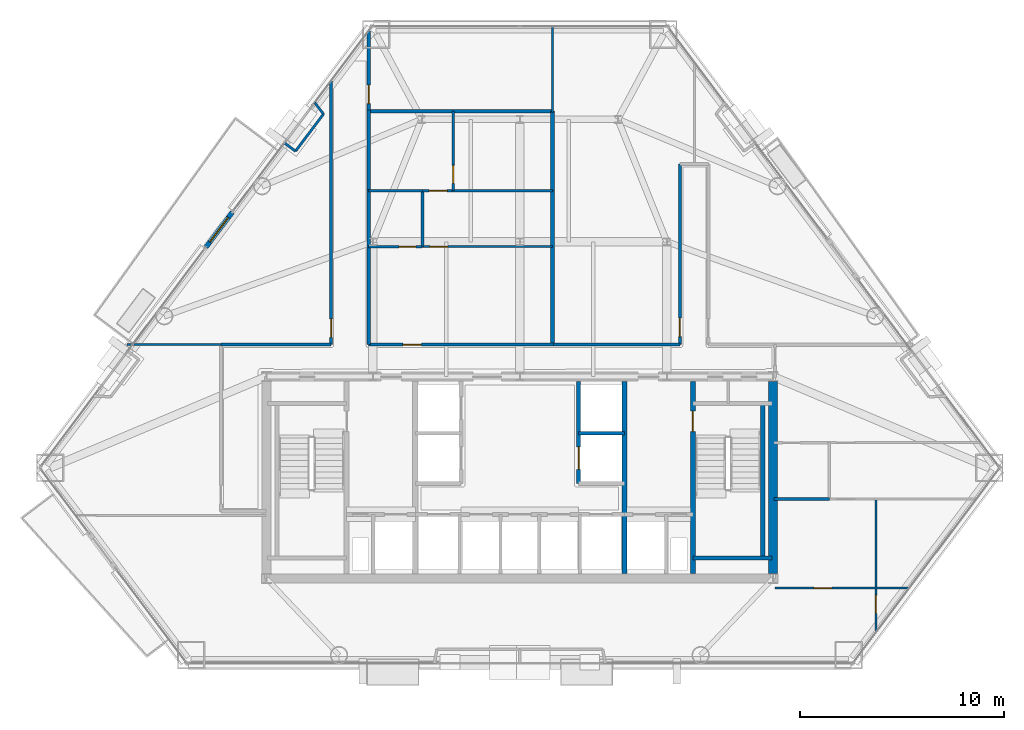
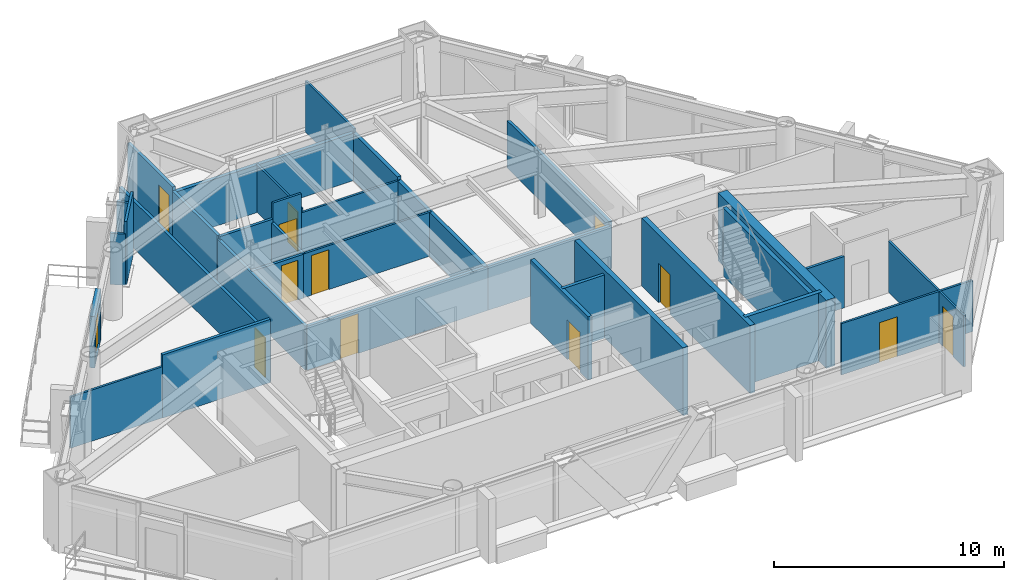
# One storey, part 7 of 10: 34 walls, 13 doors, 13 openings.
"""IFC4 building model written with IfcOpenShell, lengths in metres."""

from ifc_helpers import new_model, si_unit, direction, frame, frame_2d, origin, place, context, subcontext, project, spatial, rectangle, extrude, material, layer, layer_set, type_object, element, fill, save


model = new_model("IFC4")

# Units and contexts
model_context = context("Model", 3, precision=1e-05, world=origin(), true_north=direction((0.0, 1.0)))
body_context = subcontext(model_context, "Body", "Model", "MODEL_VIEW")
ifc_project = project(units=[si_unit("LENGTHUNIT", "METRE"), si_unit("AREAUNIT", "SQUARE_METRE"), si_unit("VOLUMEUNIT", "CUBIC_METRE"), si_unit("PLANEANGLEUNIT", "RADIAN"), si_unit("MASSUNIT", "GRAM", prefix="KILO")], contexts=[model_context])

# Site, building, storey
site_placement = place(None, origin())
site = spatial("IfcSite", under=ifc_project, at=site_placement, CompositionType="ELEMENT")
building_placement = place(site_placement, origin())
building = spatial("IfcBuilding", under=site, at=building_placement, Name="Talgorran Terracotta Tower", CompositionType="ELEMENT")
storey_placement = place(building_placement, frame((0.0, 0.0, 75.60009765625)))
storey = spatial("IfcBuildingStorey", under=building, at=storey_placement, Name="L19", CompositionType="ELEMENT", Elevation=75.60009765625)

# Wall, opening, door
ifc_material_1 = material(Name="Concrete C40/50", Category="concrete")
ifc_layer_1 = layer(ifc_material_1, 0.239990234375, Name="WT_BALCONY_SPAND")
ifc_layer_set_1 = layer_set([ifc_layer_1], Name="Concrete C40/50")
wall_type_1 = type_object("IfcWallType", Name="WT_BALCONY_SPAND", PredefinedType="STANDARD", material=ifc_layer_set_1)
wall_1_placement = place(storey_placement, frame((-14.088134765625, 3.843505859375, -0.01513671875), z_axis=(0.0, 0.0, 1.0), x_axis=(-0.601240548581, -0.799068083921, 0.0)))
wall_1 = element("IfcWall", 1, at=wall_1_placement, inside=storey, type_object=wall_type_1, Name="WL-L19-BALP-BAL-NW", PredefinedType="STANDARD", context=body_context, shape_type="SweptSolid", body=[
    extrude(rectangle(XDim=2.139892578125, YDim=0.239990234375, at=frame_2d((1.06982421875, 0.0))), origin(), (0.0, 0.0, 1.0), 2.728515625),
])
opening_1_placement = place(wall_1_placement, frame((0.320068359375, 0.0, 0.014892578125)))
opening_1 = element("IfcOpeningElement", 2, at=opening_1_placement, cuts=wall_1, Name="Opening D-BAL-L19-2", PredefinedType="OPENING", context=body_context, shape_type="SweptSolid", body=[
    extrude(rectangle(XDim=1.506, YDim=2.203951171875, at=frame_2d((0.75, 1.10205078125))), frame((0.0, 0.1298828125, 0.0), z_axis=(0.0, -1.0, 0.0), x_axis=(1.0, 0.0, 0.0)), (0.0, 0.0, 1.0), 0.260009765625),
])
ifc_material_2 = material(Name="Thermally Broken Aluminium", Category="aluminium")
door_type_1 = type_object("IfcDoorType", Name="DT_BALC_1500", OperationType="SLIDING_TO_RIGHT", PredefinedType="DOOR", material=ifc_material_2)
door_1_placement = place(opening_1_placement, origin())
door_1 = element("IfcDoor", 3, at=door_1_placement, inside=storey, type_object=door_type_1, Name="DR-L19-BAL-BAL-NW", OperationType="SLIDING_TO_RIGHT", OverallHeight=2.199951171875, OverallWidth=1.5, PredefinedType="DOOR", context=body_context, shape_type="SweptSolid", body=[
    extrude(rectangle(XDim=1.5, YDim=2.199951171875, at=frame_2d((0.75, 1.10009765625))), frame((0.0, 0.02490234375, 0.0), z_axis=(0.0, -1.0, 0.0), x_axis=(1.0, 0.0, 0.0)), (0.0, 0.0, 1.0), 0.050048828125),
])
fill(opening_1, door_1)

# Walls
ifc_material_3 = material(Name="Concrete C50/60", Category="concrete")
ifc_layer_2 = layer(ifc_material_3, 0.199951171875, Name="WT_CORE_200")
ifc_layer_set_2 = layer_set([ifc_layer_2], Name="Concrete C50/60")
wall_type_2 = type_object("IfcWallType", Name="WT_CORE_200", PredefinedType="SOLIDWALL", material=ifc_layer_set_2)
wall_2_placement = place(storey_placement, frame((8.47998046875, -13.10009765625, 0.0), z_axis=(0.0, 0.0, 1.0), x_axis=(1.0, 0.0, 0.0)))
element("IfcWall", 4, at=wall_2_placement, inside=storey, type_object=wall_type_2, Name="WL-L19-CW-ST2-S", PredefinedType="SOLIDWALL", context=body_context, shape_type="SweptSolid", body=[
    extrude(rectangle(XDim=3.8701171875, YDim=0.199951171875, at=frame_2d((1.93505859375, 0.0))), origin(), (0.0, 0.0, 1.0), 3.599853515625),
])
wall_3_placement = place(storey_placement, frame((11.89990234375, -13.10009765625, 0.0), z_axis=(0.0, 0.0, 1.0), x_axis=(0.0, 1.0, 0.0)))
element("IfcWall", 5, at=wall_3_placement, inside=storey, type_object=wall_type_2, Name="WL-L19-CW-ST2-E", PredefinedType="SOLIDWALL", context=body_context, shape_type="SweptSolid", body=[
    extrude(rectangle(XDim=7.580078125, YDim=0.199951171875, at=frame_2d((3.7900390625, 0.0))), origin(), (0.0, 0.0, 1.0), 3.599853515625),
])

# Wall, opening, door
wall_4_placement = place(storey_placement, frame((2.8798828125, -9.449951171875, 0.0), z_axis=(0.0, 0.0, 1.0), x_axis=(0.0, 1.0, 0.0)))
wall_4 = element("IfcWall", 6, at=wall_4_placement, inside=storey, type_object=wall_type_2, Name="WL-L19-CW-V-E3", PredefinedType="SOLIDWALL", context=body_context, shape_type="SweptSolid", body=[
    extrude(rectangle(XDim=5.0, YDim=0.199951171875, at=frame_2d((2.5, 0.0))), origin(), (0.0, 0.0, 1.0), 3.349853515625),
])
opening_2_placement = place(wall_4_placement, frame((0.699951171875, 0.0, 0.0)))
opening_2 = element("IfcOpeningElement", 7, at=opening_2_placement, cuts=wall_4, Name="Opening LD-PLM1", PredefinedType="OPENING", context=body_context, shape_type="SweptSolid", body=[
    extrude(rectangle(XDim=1.10609765625, YDim=2.10409765625, at=frame_2d((0.550048828125, 1.052001953125))), frame((0.0, 0.10986328125, 0.0), z_axis=(0.0, -1.0, 0.0), x_axis=(1.0, 0.0, 0.0)), (0.0, 0.0, 1.0), 0.219970703125),
])
ifc_material_4 = material(Name="Brushed Stainless Steel Grade 304", Category="steel")
door_type_2 = type_object("IfcDoorType", Name="DT_LIFT_LD1100", OperationType="DOUBLE_DOOR_SLIDING", PredefinedType="DOOR", material=ifc_material_4)
door_2_placement = place(opening_2_placement, origin())
door_2 = element("IfcDoor", 8, at=door_2_placement, inside=storey, type_object=door_type_2, Name="L19 Lift Landing Door LD-PLM1", OperationType="DOUBLE_DOOR_SLIDING", OverallHeight=2.10009765625, OverallWidth=1.10009765625, PredefinedType="DOOR", context=body_context, shape_type="SweptSolid", body=[
    extrude(rectangle(XDim=1.10009765625, YDim=2.10009765625, at=frame_2d((0.550048828125, 1.050048828125))), frame((0.0, 0.02490234375, 0.0), z_axis=(0.0, -1.0, 0.0), x_axis=(1.0, 0.0, 0.0)), (0.0, 0.0, 1.0), 0.050048828125),
])
fill(opening_2, door_2)

ifc_layer_3 = layer(ifc_material_3, 0.25, Name="WT_CORE_250")
ifc_layer_set_3 = layer_set([ifc_layer_3], Name="Concrete C50/60")
wall_type_3 = type_object("IfcWallType", Name="WT_CORE_250", PredefinedType="SHEAR", material=ifc_layer_set_3)
wall_5_placement = place(storey_placement, frame((8.47998046875, -13.85009765625, 0.0), z_axis=(0.0, 0.0, 1.0), x_axis=(0.0, 1.0, 0.0)))
wall_5 = element("IfcWall", 9, at=wall_5_placement, inside=storey, type_object=wall_type_3, Name="WL-L19-CW-V-E1", PredefinedType="SHEAR", context=body_context, shape_type="SweptSolid", body=[
    extrude(rectangle(XDim=9.400146484375, YDim=0.25, at=frame_2d((4.7001953125, 0.0))), origin(), (0.0, 0.0, 1.0), 3.599853515625),
])
opening_3_placement = place(wall_5_placement, frame((6.949951171875, 0.0, 0.0)))
opening_3 = element("IfcOpeningElement", 10, at=opening_3_placement, cuts=wall_5, Name="Opening DR-ST02", PredefinedType="OPENING", context=body_context, shape_type="SweptSolid", body=[
    extrude(rectangle(XDim=1.006, YDim=2.10409765625, at=frame_2d((0.5, 1.052001953125))), frame((0.0, 0.135009765625, 0.0), z_axis=(0.0, -1.0, 0.0), x_axis=(1.0, 0.0, 0.0)), (0.0, 0.0, 1.0), 0.27001953125),
])
ifc_material_5 = material(Name="Fire-Rated Pressed Steel", Category="steel")
door_type_3 = type_object("IfcDoorType", Name="DT_FIRE_1000", OperationType="NOTDEFINED", PredefinedType="DOOR", material=ifc_material_5)
door_3_placement = place(opening_3_placement, origin())
door_3 = element("IfcDoor", 11, at=door_3_placement, inside=storey, type_object=door_type_3, Name="DR-ST02", OperationType="SINGLE_SWING_RIGHT", OverallHeight=2.10009765625, OverallWidth=1.0, PredefinedType="DOOR", context=body_context, shape_type="SweptSolid", body=[
    extrude(rectangle(XDim=1.0, YDim=2.10009765625, at=frame_2d((0.5, 1.050048828125))), frame((0.0, 0.02490234375, 0.0), z_axis=(0.0, -1.0, 0.0), x_axis=(1.0, 0.0, 0.0)), (0.0, 0.0, 1.0), 0.050048828125),
])
fill(opening_3, door_3)

# Walls
wall_6_placement = place(storey_placement, frame((5.1201171875, -13.85009765625, 0.0), z_axis=(0.0, 0.0, 1.0), x_axis=(0.0, 1.0, 0.0)))
element("IfcWall", 12, at=wall_6_placement, inside=storey, type_object=wall_type_3, Name="WL-L19-CW-V-E2", PredefinedType="SHEAR", context=body_context, shape_type="SweptSolid", body=[
    extrude(rectangle(XDim=9.400146484375, YDim=0.25, at=frame_2d((4.7001953125, 0.0))), origin(), (0.0, 0.0, 1.0), 3.599853515625),
])
ifc_material_6 = material(Name="Concrete C65/80", Category="concrete")
ifc_layer_4 = layer(ifc_material_6, 0.449951171875, Name="WT_CORE_EXT")
ifc_layer_set_4 = layer_set([ifc_layer_4], Name="Concrete C65/80")
wall_type_4 = type_object("IfcWallType", Name="WT_CORE_EXT", PredefinedType="SHEAR", material=ifc_layer_set_4)
wall_7_placement = place(storey_placement, frame((12.39990234375, -13.85009765625, 0.0), z_axis=(0.0, 0.0, 1.0), x_axis=(0.0, 1.0, 0.0)))
element("IfcWall", 13, at=wall_7_placement, inside=storey, type_object=wall_type_4, Name="WL-L19-CW-OUT-E", PredefinedType="SHEAR", context=body_context, shape_type="SweptSolid", body=[
    extrude(rectangle(XDim=9.400146484375, YDim=0.449951171875, at=frame_2d((4.7001953125, 0.0))), origin(), (0.0, 0.0, 1.0), 3.599853515625),
])

# Wall, opening, door
ifc_material_7 = material(Name="Fire-Rated Steel Stud Plasterboard", Category="steel")
ifc_layer_5 = layer(ifc_material_7, 0.14990234375, Name="WT_FIRE_150")
ifc_layer_set_5 = layer_set([ifc_layer_5], Name="Fire-Rated Steel Stud Plasterboard")
wall_type_5 = type_object("IfcWallType", Name="WT_FIRE_150", PredefinedType="PARTITIONING", material=ifc_layer_set_5)
wall_8_placement = place(storey_placement, frame((-9.239990234375, -2.639892578125, 0.0), z_axis=(0.0, 0.0, 1.0), x_axis=(0.0, 1.0, 0.0)))
wall_8 = element("IfcWall", 14, at=wall_8_placement, inside=storey, type_object=wall_type_5, Name="WL-L19-W-L19-R05", PredefinedType="PARTITIONING", context=body_context, shape_type="SweptSolid", body=[
    extrude(rectangle(XDim=12.9267578125, YDim=0.14990234375, at=frame_2d((6.46337890625, 0.0))), origin(), (0.0, 0.0, 1.0), 2.5087890625),
])
opening_4_placement = place(wall_8_placement, frame((0.359130859375, 0.0, 0.0)))
opening_4 = element("IfcOpeningElement", 15, at=opening_4_placement, cuts=wall_8, Name="Opening DR-L19-R08", PredefinedType="OPENING", context=body_context, shape_type="SweptSolid", body=[
    extrude(rectangle(XDim=0.90590234375, YDim=2.10409765625, at=frame_2d((0.449951171875, 1.052001953125))), frame((0.0, 0.0849609375, 0.0), z_axis=(0.0, -1.0, 0.0), x_axis=(1.0, 0.0, 0.0)), (0.0, 0.0, 1.0), 0.169921875),
])
ifc_material_8 = material(Name="Fire-Rated Timber Core", Category="wood")
door_type_4 = type_object("IfcDoorType", Name="DT_FIRE_900", OperationType="NOTDEFINED", PredefinedType="DOOR", material=ifc_material_8)
door_4_placement = place(opening_4_placement, origin())
door_4 = element("IfcDoor", 16, at=door_4_placement, inside=storey, type_object=door_type_4, Name="DR-L19-R08", OperationType="SINGLE_SWING_RIGHT", OverallHeight=2.10009765625, OverallWidth=0.89990234375, PredefinedType="DOOR", context=body_context, shape_type="SweptSolid", body=[
    extrude(rectangle(XDim=0.89990234375, YDim=2.10009765625, at=frame_2d((0.449951171875, 1.050048828125))), frame((0.0, 0.02490234375, 0.0), z_axis=(0.0, -1.0, 0.0), x_axis=(1.0, 0.0, 0.0)), (0.0, 0.0, 1.0), 0.050048828125),
])
fill(opening_4, door_4)

wall_9_placement = place(storey_placement, frame((-7.39990234375, -2.639892578125, 0.0), z_axis=(0.0, 0.0, 1.0), x_axis=(1.0, 0.0, 0.0)))
wall_9 = element("IfcWall", 17, at=wall_9_placement, inside=storey, type_object=wall_type_5, Name="WL-L19-W-L19-R07", PredefinedType="PARTITIONING", context=body_context, shape_type="SweptSolid", body=[
    extrude(rectangle(XDim=9.059814453125, YDim=0.14990234375, at=frame_2d((4.52978515625, 0.0))), origin(), (0.0, 0.0, 1.0), 2.324951171875),
])
opening_5_placement = place(wall_9_placement, frame((1.672119140625, 0.0, 0.0)))
opening_5 = element("IfcOpeningElement", 18, at=opening_5_placement, cuts=wall_9, Name="Opening DR-L19-R09", PredefinedType="OPENING", context=body_context, shape_type="SweptSolid", body=[
    extrude(rectangle(XDim=0.90590234375, YDim=2.10409765625, at=frame_2d((0.449951171875, 1.052001953125))), frame((0.0, 0.0849609375, 0.0), z_axis=(0.0, -1.0, 0.0), x_axis=(1.0, 0.0, 0.0)), (0.0, 0.0, 1.0), 0.169921875),
])
door_5_placement = place(opening_5_placement, origin())
door_5 = element("IfcDoor", 19, at=door_5_placement, inside=storey, type_object=door_type_4, Name="DR-L19-R09", OperationType="SINGLE_SWING_LEFT", OverallHeight=2.10009765625, OverallWidth=0.89990234375, PredefinedType="DOOR", context=body_context, shape_type="SweptSolid", body=[
    extrude(rectangle(XDim=0.89990234375, YDim=2.10009765625, at=frame_2d((0.449951171875, 1.050048828125))), frame((0.0, 0.02490234375, 0.0), z_axis=(0.0, -1.0, 0.0), x_axis=(1.0, 0.0, 0.0)), (0.0, 0.0, 1.0), 0.050048828125),
])
fill(opening_5, door_5)

wall_10_placement = place(storey_placement, frame((7.840087890625, -2.639892578125, 0.0), z_axis=(0.0, 0.0, 1.0), x_axis=(0.0, 1.0, 0.0)))
wall_10 = element("IfcWall", 20, at=wall_10_placement, inside=storey, type_object=wall_type_5, Name="WL-L19-W-L19-R11", PredefinedType="PARTITIONING", context=body_context, shape_type="SweptSolid", body=[
    extrude(rectangle(XDim=8.83984375, YDim=0.14990234375, at=frame_2d((4.419921875, 0.0))), origin(), (0.0, 0.0, 1.0), 2.5087890625),
])
opening_6_placement = place(wall_10_placement, frame((0.3994140625, 0.0, 0.0)))
opening_6 = element("IfcOpeningElement", 21, at=opening_6_placement, cuts=wall_10, Name="Opening DR-L19-R14", PredefinedType="OPENING", context=body_context, shape_type="SweptSolid", body=[
    extrude(rectangle(XDim=0.90590234375, YDim=2.10409765625, at=frame_2d((0.449951171875, 1.052001953125))), frame((0.0, 0.0849609375, 0.0), z_axis=(0.0, -1.0, 0.0), x_axis=(1.0, 0.0, 0.0)), (0.0, 0.0, 1.0), 0.169921875),
])
door_6_placement = place(opening_6_placement, origin())
door_6 = element("IfcDoor", 22, at=door_6_placement, inside=storey, type_object=door_type_4, Name="DR-L19-R14", OperationType="SINGLE_SWING_RIGHT", OverallHeight=2.10009765625, OverallWidth=0.89990234375, PredefinedType="DOOR", context=body_context, shape_type="SweptSolid", body=[
    extrude(rectangle(XDim=0.89990234375, YDim=2.10009765625, at=frame_2d((0.449951171875, 1.050048828125))), frame((0.0, 0.02490234375, 0.0), z_axis=(0.0, -1.0, 0.0), x_axis=(1.0, 0.0, 0.0)), (0.0, 0.0, 1.0), 0.050048828125),
])
fill(opening_6, door_6)

# Walls
wall_11_placement = place(storey_placement, frame((1.662109375, -2.639892578125, 0.0), z_axis=(0.0, 0.0, 1.0), x_axis=(1.0, 0.0, 0.0)))
element("IfcWall", 23, at=wall_11_placement, inside=storey, type_object=wall_type_5, Name="WL-L19-W-L19-R10", PredefinedType="PARTITIONING", context=body_context, shape_type="SweptSolid", body=[
    extrude(rectangle(XDim=6.177978515625, YDim=0.14990234375, at=frame_2d((3.0888671875, 0.0))), origin(), (0.0, 0.0, 1.0), 2.324951171875),
])
wall_12_placement = place(storey_placement, frame((-14.639892578125, -2.639892578125, 0.0), z_axis=(0.0, 0.0, 1.0), x_axis=(1.0, 0.0, 0.0)))
element("IfcWall", 24, at=wall_12_placement, inside=storey, type_object=wall_type_5, Name="WL-L19-W-L19-R04", PredefinedType="PARTITIONING", context=body_context, shape_type="SweptSolid", body=[
    extrude(rectangle(XDim=5.39990234375, YDim=0.14990234375, at=frame_2d((2.699951171875, 0.0))), origin(), (0.0, 0.0, 1.0), 3.349853515625),
])
wall_13_placement = place(storey_placement, frame((-7.39990234375, -2.639892578125, 0.0), z_axis=(0.0, 0.0, 1.0), x_axis=(0.0, 1.0, 0.0)))
element("IfcWall", 25, at=wall_13_placement, inside=storey, type_object=wall_type_5, Name="WL-L19-W-L19-R06", PredefinedType="PARTITIONING", context=body_context, shape_type="SweptSolid", body=[
    extrude(rectangle(XDim=7.599853515625, YDim=0.14990234375, at=frame_2d((3.7998046875, 0.0))), origin(), (0.0, 0.0, 1.0), 2.324951171875),
])
wall_14_placement = place(storey_placement, frame((-7.39990234375, 4.9619140625, 0.0), z_axis=(0.0, 0.0, 1.0), x_axis=(0.0, 1.0, 0.0)))
element("IfcWall", 26, at=wall_14_placement, inside=storey, type_object=wall_type_5, Name="WL-L19-W-L19-R09", PredefinedType="PARTITIONING", context=body_context, shape_type="SweptSolid", body=[
    extrude(rectangle(XDim=3.898193359375, YDim=0.14990234375, at=frame_2d((1.94921875, 0.0))), origin(), (0.0, 0.0, 1.0), 2.5087890625),
])

# Wall, opening, door
wall_15_placement = place(storey_placement, frame((-7.39990234375, 8.862060546875, 0.0), z_axis=(0.0, 0.0, 1.0), x_axis=(0.0, 1.0, 0.0)))
wall_15 = element("IfcWall", 27, at=wall_15_placement, inside=storey, type_object=wall_type_5, Name="WL-L19-W-L19-R16", PredefinedType="PARTITIONING", context=body_context, shape_type="SweptSolid", body=[
    extrude(rectangle(XDim=3.870361328125, YDim=0.14990234375, at=frame_2d((1.93505859375, 0.0))), origin(), (0.0, 0.0, 1.0), 2.71337890625),
])
opening_7_placement = place(wall_15_placement, frame((0.309814453125, 0.0, 0.0)))
opening_7 = element("IfcOpeningElement", 28, at=opening_7_placement, cuts=wall_15, Name="Opening DR-L19-R16", PredefinedType="OPENING", context=body_context, shape_type="SweptSolid", body=[
    extrude(rectangle(XDim=0.90590234375, YDim=2.10409765625, at=frame_2d((0.449951171875, 1.052001953125))), frame((0.0, 0.0849609375, 0.0), z_axis=(0.0, -1.0, 0.0), x_axis=(1.0, 0.0, 0.0)), (0.0, 0.0, 1.0), 0.169921875),
])
door_7_placement = place(opening_7_placement, origin())
door_7 = element("IfcDoor", 29, at=door_7_placement, inside=storey, type_object=door_type_4, Name="DR-L19-R16", OperationType="SINGLE_SWING_RIGHT", OverallHeight=2.10009765625, OverallWidth=0.89990234375, PredefinedType="DOOR", context=body_context, shape_type="SweptSolid", body=[
    extrude(rectangle(XDim=0.89990234375, YDim=2.10009765625, at=frame_2d((0.449951171875, 1.050048828125))), frame((0.0, 0.02490234375, 0.0), z_axis=(0.0, -1.0, 0.0), x_axis=(1.0, 0.0, 0.0)), (0.0, 0.0, 1.0), 0.050048828125),
])
fill(opening_7, door_7)

# Walls
ifc_material_9 = material(Name="Acoustic Stud and Plasterboard")
ifc_layer_6 = layer(ifc_material_9, 0.179931640625, Name="WT_PARTY_200")
ifc_layer_set_6 = layer_set([ifc_layer_6], Name="Acoustic Stud and Plasterboard")
wall_type_6 = type_object("IfcWallType", Name="WT_PARTY_200", PredefinedType="PARTITIONING", material=ifc_layer_set_6)
wall_16_placement = place(storey_placement, frame((-7.39990234375, 8.800048828125, 0.0), z_axis=(0.0, 0.0, 1.0), x_axis=(1.0, 0.0, 0.0)))
element("IfcWall", 30, at=wall_16_placement, inside=storey, type_object=wall_type_6, Name="WL-L19-W-L19-R40", PredefinedType="PARTITIONING", context=body_context, shape_type="SweptSolid", body=[
    extrude(rectangle(XDim=9.0, YDim=0.179931640625, at=frame_2d((4.5, 0.0))), origin(), (0.0, 0.0, 1.0), 2.5087890625),
])
wall_17_placement = place(storey_placement, frame((1.60009765625, -2.639892578125, 0.0), z_axis=(0.0, 0.0, 1.0), x_axis=(0.0, 1.0, 0.0)))
element("IfcWall", 31, at=wall_17_placement, inside=storey, type_object=wall_type_6, Name="WL-L19-W-L19-R31", PredefinedType="PARTITIONING", context=body_context, shape_type="SweptSolid", body=[
    extrude(rectangle(XDim=7.539794921875, YDim=0.179931640625, at=frame_2d((3.77001953125, 0.0))), origin(), (0.0, 0.0, 1.0), 2.324951171875),
])
wall_18_placement = place(storey_placement, frame((1.60009765625, 4.89990234375, 0.0), z_axis=(0.0, 0.0, 1.0), x_axis=(0.0, 1.0, 0.0)))
element("IfcWall", 32, at=wall_18_placement, inside=storey, type_object=wall_type_6, Name="WL-L19-W-L19-R39", PredefinedType="PARTITIONING", context=body_context, shape_type="SweptSolid", body=[
    extrude(rectangle(XDim=3.900146484375, YDim=0.179931640625, at=frame_2d((1.9501953125, 0.0))), origin(), (0.0, 0.0, 1.0), 2.5087890625),
])

# Wall, opening, door
ifc_material_10 = material(Name="Lightweight Steel Stud Partition", Category="steel")
ifc_layer_7 = layer(ifc_material_10, 0.10498046875, Name="WT_PART_110")
ifc_layer_set_7 = layer_set([ifc_layer_7], Name="Lightweight Steel Stud Partition")
wall_type_7 = type_object("IfcWallType", Name="WT_PART_110", PredefinedType="PARTITIONING", material=ifc_layer_set_7)
wall_19_placement = place(storey_placement, frame((12.5, -14.56005859375, 0.0), z_axis=(0.0, 0.0, 1.0), x_axis=(1.0, 0.0, 0.0)))
wall_19 = element("IfcWall", 33, at=wall_19_placement, inside=storey, type_object=wall_type_7, Name="WL-L19-W-L19-R26", PredefinedType="PARTITIONING", context=body_context, shape_type="SweptSolid", body=[
    extrude(rectangle(XDim=6.576171875, YDim=0.10498046875, at=frame_2d((3.2880859375, 0.0))), origin(), (0.0, 0.0, 1.0), 2.71337890625),
])
opening_8_placement = place(wall_19_placement, frame((1.91064453125, 0.0, 0.0)))
opening_8 = element("IfcOpeningElement", 34, at=opening_8_placement, cuts=wall_19, Name="Opening DR-L19-R07", PredefinedType="OPENING", context=body_context, shape_type="SweptSolid", body=[
    extrude(rectangle(XDim=0.8858828125, YDim=2.10409765625, at=frame_2d((0.43994140625, 1.052001953125))), frame((0.0, 0.0625, 0.0), z_axis=(0.0, -1.0, 0.0), x_axis=(1.0, 0.0, 0.0)), (0.0, 0.0, 1.0), 0.125),
])
ifc_material_11 = material(Name="Solid-Core Painted Timber", Category="wood")
door_type_5 = type_object("IfcDoorType", Name="DT_INT_880", OperationType="NOTDEFINED", PredefinedType="DOOR", material=ifc_material_11)
door_8_placement = place(opening_8_placement, origin())
door_8 = element("IfcDoor", 35, at=door_8_placement, inside=storey, type_object=door_type_5, Name="DR-L19-R07", OperationType="SINGLE_SWING_LEFT", OverallHeight=2.10009765625, OverallWidth=0.8798828125, PredefinedType="DOOR", context=body_context, shape_type="SweptSolid", body=[
    extrude(rectangle(XDim=0.8798828125, YDim=2.10009765625, at=frame_2d((0.43994140625, 1.050048828125))), frame((0.0, 0.02490234375, 0.0), z_axis=(0.0, -1.0, 0.0), x_axis=(1.0, 0.0, 0.0)), (0.0, 0.0, 1.0), 0.050048828125),
])
fill(opening_8, door_8)

wall_20_placement = place(storey_placement, frame((17.43994140625, -16.734375, 0.0), z_axis=(0.0, 0.0, 1.0), x_axis=(0.0, 1.0, 0.0)))
wall_20 = element("IfcWall", 36, at=wall_20_placement, inside=storey, type_object=wall_type_7, Name="WL-L19-W-L19-R28", PredefinedType="PARTITIONING", context=body_context, shape_type="SweptSolid", body=[
    extrude(rectangle(XDim=6.534423828125, YDim=0.10498046875, at=frame_2d((3.26708984375, 0.0))), origin(), (0.0, 0.0, 1.0), 2.71337890625),
])
opening_9_placement = place(wall_20_placement, frame((0.935546875, 0.0, 0.0)))
opening_9 = element("IfcOpeningElement", 37, at=opening_9_placement, cuts=wall_20, Name="Opening DR-L19-R06", PredefinedType="OPENING", context=body_context, shape_type="SweptSolid", body=[
    extrude(rectangle(XDim=0.8858828125, YDim=2.10409765625, at=frame_2d((0.43994140625, 1.052001953125))), frame((0.0, 0.0625, 0.0), z_axis=(0.0, -1.0, 0.0), x_axis=(1.0, 0.0, 0.0)), (0.0, 0.0, 1.0), 0.125),
])
door_9_placement = place(opening_9_placement, origin())
door_9 = element("IfcDoor", 38, at=door_9_placement, inside=storey, type_object=door_type_5, Name="DR-L19-R06", OperationType="SINGLE_SWING_RIGHT", OverallHeight=2.10009765625, OverallWidth=0.8798828125, PredefinedType="DOOR", context=body_context, shape_type="SweptSolid", body=[
    extrude(rectangle(XDim=0.8798828125, YDim=2.10009765625, at=frame_2d((0.43994140625, 1.050048828125))), frame((0.0, 0.02490234375, 0.0), z_axis=(0.0, -1.0, 0.0), x_axis=(1.0, 0.0, 0.0)), (0.0, 0.0, 1.0), 0.050048828125),
])
fill(opening_9, door_9)

wall_21_placement = place(storey_placement, frame((-4.800048828125, 2.159912109375, 0.0), z_axis=(0.0, 0.0, 1.0), x_axis=(1.0, 0.0, 0.0)))
wall_21 = element("IfcWall", 39, at=wall_21_placement, inside=storey, type_object=wall_type_7, Name="WL-L19-W-L19-R30", PredefinedType="PARTITIONING", context=body_context, shape_type="SweptSolid", body=[
    extrude(rectangle(XDim=6.400146484375, YDim=0.10498046875, at=frame_2d((3.2001953125, 0.0))), origin(), (0.0, 0.0, 1.0), 2.324951171875),
])
opening_10_placement = place(wall_21_placement, frame((0.39794921875, 0.0, 0.0)))
opening_10 = element("IfcOpeningElement", 40, at=opening_10_placement, cuts=wall_21, Name="Opening DR-L19-R11", PredefinedType="OPENING", context=body_context, shape_type="SweptSolid", body=[
    extrude(rectangle(XDim=0.8858828125, YDim=2.10409765625, at=frame_2d((0.43994140625, 1.052001953125))), frame((0.0, 0.0625, 0.0), z_axis=(0.0, -1.0, 0.0), x_axis=(1.0, 0.0, 0.0)), (0.0, 0.0, 1.0), 0.125),
])
door_10_placement = place(opening_10_placement, origin())
door_10 = element("IfcDoor", 41, at=door_10_placement, inside=storey, type_object=door_type_5, Name="DR-L19-R11", OperationType="SINGLE_SWING_LEFT", OverallHeight=2.10009765625, OverallWidth=0.8798828125, PredefinedType="DOOR", context=body_context, shape_type="SweptSolid", body=[
    extrude(rectangle(XDim=0.8798828125, YDim=2.10009765625, at=frame_2d((0.43994140625, 1.050048828125))), frame((0.0, 0.02490234375, 0.0), z_axis=(0.0, -1.0, 0.0), x_axis=(1.0, 0.0, 0.0)), (0.0, 0.0, 1.0), 0.050048828125),
])
fill(opening_10, door_10)

# Walls
wall_22_placement = place(storey_placement, frame((-3.320068359375, 4.89990234375, 0.0), z_axis=(0.0, 0.0, 1.0), x_axis=(1.0, 0.0, 0.0)))
element("IfcWall", 42, at=wall_22_placement, inside=storey, type_object=wall_type_7, Name="WL-L19-W-L19-R35", PredefinedType="PARTITIONING", context=body_context, shape_type="SweptSolid", body=[
    extrude(rectangle(XDim=4.920166015625, YDim=0.10498046875, at=frame_2d((2.4599609375, 0.0))), origin(), (0.0, 0.0, 1.0), 2.324951171875),
])
wall_23_placement = place(storey_placement, frame((-19.239990234375, -2.639892578125, 0.0), z_axis=(0.0, 0.0, 1.0), x_axis=(1.0, 0.0, 0.0)))
element("IfcWall", 43, at=wall_23_placement, inside=storey, type_object=wall_type_7, Name="WL-L19-W-L19-R18", PredefinedType="PARTITIONING", context=body_context, shape_type="SweptSolid", body=[
    extrude(rectangle(XDim=4.60009765625, YDim=0.10498046875, at=frame_2d((2.300048828125, 0.0))), origin(), (0.0, 0.0, 1.0), 2.71337890625),
])
wall_24_placement = place(storey_placement, frame((1.60009765625, 8.739990234375, 0.0), z_axis=(0.0, 0.0, 1.0), x_axis=(0.0, 1.0, 0.0)))
element("IfcWall", 44, at=wall_24_placement, inside=storey, type_object=wall_type_7, Name="WL-L19-W-L19-R42", PredefinedType="PARTITIONING", context=body_context, shape_type="SweptSolid", body=[
    extrude(rectangle(XDim=4.212890625, YDim=0.10498046875, at=frame_2d((2.1064453125, 0.0))), origin(), (0.0, 0.0, 1.0), 2.71337890625),
])

# Wall, opening, door
wall_25_placement = place(storey_placement, frame((-3.260009765625, 4.89990234375, 0.0), z_axis=(0.0, 0.0, 1.0), x_axis=(0.0, 1.0, 0.0)))
wall_25 = element("IfcWall", 45, at=wall_25_placement, inside=storey, type_object=wall_type_7, Name="WL-L19-W-L19-R37", PredefinedType="PARTITIONING", context=body_context, shape_type="SweptSolid", body=[
    extrude(rectangle(XDim=3.900146484375, YDim=0.10498046875, at=frame_2d((1.9501953125, 0.0))), origin(), (0.0, 0.0, 1.0), 2.5087890625),
])
opening_11_placement = place(wall_25_placement, frame((0.3583984375, 0.0, 0.0)))
opening_11 = element("IfcOpeningElement", 46, at=opening_11_placement, cuts=wall_25, Name="Opening DR-L19-R13", PredefinedType="OPENING", context=body_context, shape_type="SweptSolid", body=[
    extrude(rectangle(XDim=0.8858828125, YDim=2.10409765625, at=frame_2d((0.43994140625, 1.052001953125))), frame((0.0, 0.0625, 0.0), z_axis=(0.0, -1.0, 0.0), x_axis=(1.0, 0.0, 0.0)), (0.0, 0.0, 1.0), 0.125),
])
door_11_placement = place(opening_11_placement, origin())
door_11 = element("IfcDoor", 47, at=door_11_placement, inside=storey, type_object=door_type_5, Name="DR-L19-R13", OperationType="SINGLE_SWING_LEFT", OverallHeight=2.10009765625, OverallWidth=0.8798828125, PredefinedType="DOOR", context=body_context, shape_type="SweptSolid", body=[
    extrude(rectangle(XDim=0.8798828125, YDim=2.10009765625, at=frame_2d((0.43994140625, 1.050048828125))), frame((0.0, 0.02490234375, 0.0), z_axis=(0.0, -1.0, 0.0), x_axis=(1.0, 0.0, 0.0)), (0.0, 0.0, 1.0), 0.050048828125),
])
fill(opening_11, door_11)

wall_26_placement = place(storey_placement, frame((-4.760009765625, 4.89990234375, 0.0), z_axis=(0.0, 0.0, 1.0), x_axis=(1.0, 0.0, 0.0)))
wall_26 = element("IfcWall", 48, at=wall_26_placement, inside=storey, type_object=wall_type_7, Name="WL-L19-W-L19-R34", PredefinedType="PARTITIONING", context=body_context, shape_type="SweptSolid", body=[
    extrude(rectangle(XDim=1.43798828125, YDim=0.10498046875, at=frame_2d((0.718994140625, 0.0))), origin(), (0.0, 0.0, 1.0), 3.349853515625),
])
opening_12_placement = place(wall_26_placement, frame((0.320068359375, 0.0, 0.0)))
opening_12 = element("IfcOpeningElement", 49, at=opening_12_placement, cuts=wall_26, Name="Opening DR-L19-R12", PredefinedType="OPENING", context=body_context, shape_type="SweptSolid", body=[
    extrude(rectangle(XDim=0.8858828125, YDim=2.10409765625, at=frame_2d((0.43994140625, 1.052001953125))), frame((0.0, 0.0625, 0.0), z_axis=(0.0, -1.0, 0.0), x_axis=(1.0, 0.0, 0.0)), (0.0, 0.0, 1.0), 0.125),
])
door_12_placement = place(opening_12_placement, origin())
door_12 = element("IfcDoor", 50, at=door_12_placement, inside=storey, type_object=door_type_5, Name="DR-L19-R12", OperationType="SINGLE_SWING_RIGHT", OverallHeight=2.10009765625, OverallWidth=0.8798828125, PredefinedType="DOOR", context=body_context, shape_type="SweptSolid", body=[
    extrude(rectangle(XDim=0.8798828125, YDim=2.10009765625, at=frame_2d((0.43994140625, 1.050048828125))), frame((0.0, 0.02490234375, 0.0), z_axis=(0.0, -1.0, 0.0), x_axis=(1.0, 0.0, 0.0)), (0.0, 0.0, 1.0), 0.050048828125),
])
fill(opening_12, door_12)

# Walls
ifc_material_12 = material(Name="Insulated Steel Stud Plasterboard", Category="steel")
ifc_layer_8 = layer(ifc_material_12, 0.1201171875, Name="WT_PART_120")
ifc_layer_set_8 = layer_set([ifc_layer_8], Name="Insulated Steel Stud Plasterboard")
wall_type_8 = type_object("IfcWallType", Name="WT_PART_120", PredefinedType="PARTITIONING", material=ifc_layer_set_8)
wall_27_placement = place(storey_placement, frame((-9.614990234375, 8.657470703125, 0.0), z_axis=(0.0, 0.0, 1.0), x_axis=(-0.601301632327, -0.799022119194, 0.0)))
element("IfcWall", 51, at=wall_27_placement, inside=storey, type_object=wall_type_8, Name="WL-L19-BW-L19-14", PredefinedType="PARTITIONING", context=body_context, shape_type="SweptSolid", body=[
    extrude(rectangle(XDim=2.279296875, YDim=0.1201171875, at=frame_2d((1.1396484375, 0.0))), origin(), (0.0, 0.0, 1.0), 3.349853515625),
])
wall_28_placement = place(storey_placement, frame((-10.040771484375, 9.2060546875, 0.0), z_axis=(0.0, 0.0, 1.0), x_axis=(0.613137094739, -0.789976520572, 0.0)))
element("IfcWall", 52, at=wall_28_placement, inside=storey, type_object=wall_type_8, Name="WL-L19-BW-L19-13", PredefinedType="PARTITIONING", context=body_context, shape_type="SweptSolid", body=[
    extrude(rectangle(XDim=0.6943359375, YDim=0.1201171875, at=frame_2d((0.34716796875, 0.0))), origin(), (0.0, 0.0, 1.0), 2.71337890625),
])
wall_29_placement = place(storey_placement, frame((-10.985595703125, 6.836181640625, 0.0), z_axis=(0.0, 0.0, 1.0), x_axis=(-0.799080830747, 0.601223607265, 0.0)))
element("IfcWall", 53, at=wall_29_placement, inside=storey, type_object=wall_type_8, Name="WL-L19-BW-L19-15", PredefinedType="PARTITIONING", context=body_context, shape_type="SweptSolid", body=[
    extrude(rectangle(XDim=0.669921875, YDim=0.1201171875, at=frame_2d((0.3349609375, 0.0))), origin(), (0.0, 0.0, 1.0), 2.71337890625),
])
ifc_material_13 = material(Name="Moisture-Resistant Stud Wall")
ifc_layer_9 = layer(ifc_material_13, 0.135009765625, Name="WT_PART_135")
ifc_layer_set_9 = layer_set([ifc_layer_9], Name="Moisture-Resistant Stud Wall")
wall_type_9 = type_object("IfcWallType", Name="WT_PART_135", PredefinedType="PARTITIONING", material=ifc_layer_set_9)
wall_30_placement = place(storey_placement, frame((-4.760009765625, 2.159912109375, 0.0), z_axis=(0.0, 0.0, 1.0), x_axis=(0.0, 1.0, 0.0)))
element("IfcWall", 54, at=wall_30_placement, inside=storey, type_object=wall_type_9, Name="WL-L19-W-L19-R32", PredefinedType="PARTITIONING", context=body_context, shape_type="SweptSolid", body=[
    extrude(rectangle(XDim=2.739990234375, YDim=0.135009765625, at=frame_2d((1.3701171875, 0.0))), origin(), (0.0, 0.0, 1.0), 2.324951171875),
])
wall_31_placement = place(storey_placement, frame((12.43994140625, -10.199951171875, 0.0), z_axis=(0.0, 0.0, 1.0), x_axis=(1.0, 0.0, 0.0)))
element("IfcWall", 55, at=wall_31_placement, inside=storey, type_object=wall_type_9, Name="WL-L19-W-L19-R23", PredefinedType="PARTITIONING", context=body_context, shape_type="SweptSolid", body=[
    extrude(rectangle(XDim=2.719970703125, YDim=0.135009765625, at=frame_2d((1.35986328125, 0.0))), origin(), (0.0, 0.0, 1.0), 2.71337890625),
])

# Wall, opening, door
wall_32_placement = place(storey_placement, frame((-7.39990234375, 2.159912109375, 0.0), z_axis=(0.0, 0.0, 1.0), x_axis=(1.0, 0.0, 0.0)))
wall_32 = element("IfcWall", 56, at=wall_32_placement, inside=storey, type_object=wall_type_9, Name="WL-L19-W-L19-R29", PredefinedType="PARTITIONING", context=body_context, shape_type="SweptSolid", body=[
    extrude(rectangle(XDim=2.597900390625, YDim=0.135009765625, at=frame_2d((1.298828125, 0.0))), origin(), (0.0, 0.0, 1.0), 2.324951171875),
])
opening_13_placement = place(wall_32_placement, frame((1.48681640625, 0.0, 0.0)))
opening_13 = element("IfcOpeningElement", 57, at=opening_13_placement, cuts=wall_32, Name="Opening DR-L19-R10", PredefinedType="OPENING", context=body_context, shape_type="SweptSolid", body=[
    extrude(rectangle(XDim=0.826068359375, YDim=2.10409765625, at=frame_2d((0.41015625, 1.052001953125))), frame((0.0, 0.07763671875, 0.0), z_axis=(0.0, -1.0, 0.0), x_axis=(1.0, 0.0, 0.0)), (0.0, 0.0, 1.0), 0.155029296875),
])
ifc_material_14 = material(Name="Moisture-Resistant Solid Timber", Category="wood")
door_type_6 = type_object("IfcDoorType", Name="DT_INT_820", OperationType="NOTDEFINED", PredefinedType="DOOR", material=ifc_material_14)
door_13_placement = place(opening_13_placement, origin())
door_13 = element("IfcDoor", 58, at=door_13_placement, inside=storey, type_object=door_type_6, Name="DR-L19-R10", OperationType="SINGLE_SWING_RIGHT", OverallHeight=2.10009765625, OverallWidth=0.820068359375, PredefinedType="DOOR", context=body_context, shape_type="SweptSolid", body=[
    extrude(rectangle(XDim=0.820068359375, YDim=2.10009765625, at=frame_2d((0.41015625, 1.050048828125))), frame((0.0, 0.02490234375, 0.0), z_axis=(0.0, -1.0, 0.0), x_axis=(1.0, 0.0, 0.0)), (0.0, 0.0, 1.0), 0.050048828125),
])
fill(opening_13, door_13)

# Walls
wall_33_placement = place(storey_placement, frame((-7.39990234375, 4.89990234375, 0.0), z_axis=(0.0, 0.0, 1.0), x_axis=(1.0, 0.0, 0.0)))
element("IfcWall", 59, at=wall_33_placement, inside=storey, type_object=wall_type_9, Name="WL-L19-W-L19-R33", PredefinedType="PARTITIONING", context=body_context, shape_type="SweptSolid", body=[
    extrude(rectangle(XDim=2.639892578125, YDim=0.135009765625, at=frame_2d((1.31982421875, 0.0))), origin(), (0.0, 0.0, 1.0), 2.5087890625),
])
ifc_material_15 = material(Name="Fire-Rated Shaftwall")
ifc_layer_10 = layer(ifc_material_15, 0.159912109375, Name="WT_PART_150")
ifc_layer_set_10 = layer_set([ifc_layer_10], Name="Fire-Rated Shaftwall")
wall_type_10 = type_object("IfcWallType", Name="WT_PART_150", PredefinedType="PARTITIONING", material=ifc_layer_set_10)
wall_34_placement = place(storey_placement, frame((2.8798828125, -6.97998046875, 0.0), z_axis=(0.0, 0.0, 1.0), x_axis=(1.0, 0.0, 0.0)))
element("IfcWall", 60, at=wall_34_placement, inside=storey, type_object=wall_type_10, Name="WL-L19-CW-PLM-DIV", PredefinedType="PARTITIONING", context=body_context, shape_type="SweptSolid", body=[
    extrude(rectangle(XDim=2.240234375, YDim=0.159912109375, at=frame_2d((1.1201171875, 0.0))), origin(), (0.0, 0.0, 1.0), 3.349853515625),
])

save(model, "model.ifc")
